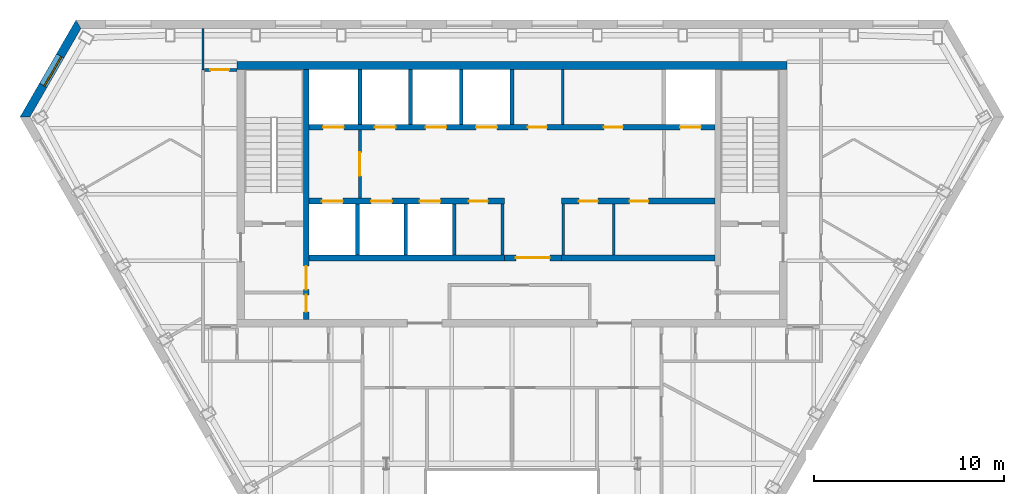
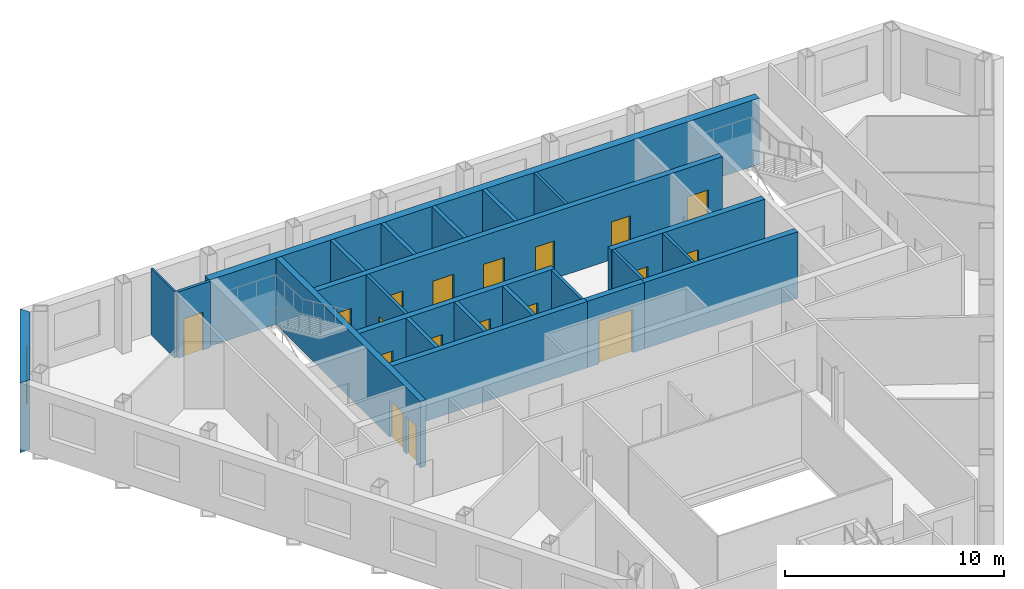
# One storey, part 6 of 10: 23 walls, 18 doors, 1 window, 19 openings.
"""IFC4 building model written with IfcOpenShell, lengths in metres."""

from ifc_helpers import new_model, si_unit, direction, frame, frame_2d, origin, place, context, subcontext, project, spatial, polyline, rectangle, outline, extrude, material, layer, layer_set, type_object, element, fill, save


model = new_model("IFC4")

# Units and contexts
model_context = context("Model", 3, precision=1e-05, world=origin(), true_north=direction((0.0, 1.0)))
body_context = subcontext(model_context, "Body", "Model", "MODEL_VIEW")
ifc_project = project(units=[si_unit("LENGTHUNIT", "METRE"), si_unit("AREAUNIT", "SQUARE_METRE"), si_unit("VOLUMEUNIT", "CUBIC_METRE"), si_unit("PLANEANGLEUNIT", "RADIAN"), si_unit("MASSUNIT", "GRAM", prefix="KILO")], contexts=[model_context])

# Site, building, storey
site_placement = place(None, origin())
site = spatial("IfcSite", under=ifc_project, at=site_placement, CompositionType="ELEMENT")
building_placement = place(site_placement, origin())
building = spatial("IfcBuilding", under=site, at=building_placement, Name="Njiva Tower", CompositionType="ELEMENT")
storey_placement = place(building_placement, frame((0.0, 0.0, 257.1)))
storey = spatial("IfcBuildingStorey", under=building, at=storey_placement, Name="L58", CompositionType="ELEMENT", Elevation=257.1)

# Walls
ifc_material_1 = material(Name="Blockwork", Category="masonry")
ifc_layer_1 = layer(ifc_material_1, 0.15)
ifc_layer_set_1 = layer_set([ifc_layer_1], Name="Blockwork")
wall_type_1 = type_object("IfcWallType", Name="WT1 Compartment partition 150", PredefinedType="PARTITIONING", material=ifc_layer_set_1)
wall_1_placement = place(storey_placement, frame((2.675, 14.7, 0.0), z_axis=(0.0, 0.0, 1.0), x_axis=(0.0, 1.0, 0.0)))
element("IfcWall", 1, at=wall_1_placement, inside=storey, type_object=wall_type_1, Name="Partition CN5", PredefinedType="PARTITIONING", context=body_context, shape_type="SweptSolid", body=[
    extrude(rectangle(XDim=2.9, YDim=0.15, at=frame_2d((1.45, 0.0))), origin(), (0.0, 0.0, 1.0), 3.7),
])
for number, where, z_axis, x_axis, name in (
    (2, (-0.5, 7.8, 0.0), (0.0, 0.0, 1.0), (0.0, 1.0, 0.0), "Partition CS4"),
    (3, (2.7, 7.8, 0.0), (0.0, 0.0, 1.0), (0.0, 1.0, 0.0), "Partition CS5"),
    (4, (5.3667, 7.8, 0.0), (0.0, 0.0, 1.0), (0.0, 1.0, 0.0), "Partition CS6"),
):
    element("IfcWall", number, at=place(storey_placement, frame(where, z_axis=z_axis, x_axis=x_axis)), inside=storey, type_object=wall_type_1, Name=name, PredefinedType="PARTITIONING", context=body_context, shape_type="SweptSolid", body=[
        extrude(rectangle(XDim=2.7, YDim=0.15, at=frame_2d((1.35, 0.0))), origin(), (0.0, 0.0, 1.0), 3.7),
    ])

# Wall, openings, doors
ifc_material_2 = material(Name="Concrete C40/50", Category="concrete")
ifc_layer_2 = layer(ifc_material_2, 0.3)
ifc_layer_set_2 = layer_set([ifc_layer_2], Name="Concrete C40/50")
wall_type_2 = type_object("IfcWallType", Name="WT10 Stair enclosure wall 300", PredefinedType="SHEAR", material=ifc_layer_set_2)
wall_2_placement = place(storey_placement, frame((-10.85, 4.4, 0.0), z_axis=(0.0, 0.0, 1.0), x_axis=(0.0, 1.0, 0.0)))
wall_2 = element("IfcWall", 5, at=wall_2_placement, inside=storey, type_object=wall_type_2, Name="Stair wall west inner", PredefinedType="SHEAR", context=body_context, shape_type="SweptSolid", body=[
    extrude(rectangle(XDim=13.2, YDim=0.3, at=frame_2d((6.6, 0.0))), origin(), (0.0, 0.0, 1.0), 3.7),
])
opening_1_placement = place(wall_2_placement, frame((1.575, 0.0, 0.0)))
opening_1 = element("IfcOpeningElement", 6, at=opening_1_placement, cuts=wall_2, Name="Opening S19-D916", PredefinedType="OPENING", context=body_context, shape_type="SweptSolid", body=[
    extrude(rectangle(XDim=1.25, YDim=2.1, at=frame_2d((0.625, 1.05))), frame((0.0, 0.16, 0.0), z_axis=(0.0, -1.0, 0.0), x_axis=(1.0, 0.0, 0.0)), (0.0, 0.0, 1.0), 0.32),
])
opening_2_placement = place(wall_2_placement, frame((0.4, 0.0, 0.0)))
opening_2 = element("IfcOpeningElement", 7, at=opening_2_placement, cuts=wall_2, Name="Opening S19-D918", PredefinedType="OPENING", context=body_context, shape_type="SweptSolid", body=[
    extrude(rectangle(XDim=0.9, YDim=2.1, at=frame_2d((0.45, 1.05))), frame((0.0, 0.16, 0.0), z_axis=(0.0, -1.0, 0.0), x_axis=(1.0, 0.0, 0.0)), (0.0, 0.0, 1.0), 0.32),
])
ifc_material_3 = material(Name="Steel door, painted", Category="steel")
door_type_1 = type_object("IfcDoorType", Name="D13 Steel door 900x2100", OperationType="SINGLE_SWING_LEFT", PredefinedType="DOOR", material=ifc_material_3)
door_1_placement = place(opening_2_placement, origin())
door_1 = element("IfcDoor", 8, at=door_1_placement, inside=storey, type_object=door_type_1, Name="Reading room door", OperationType="SINGLE_SWING_RIGHT", OverallHeight=2.1, OverallWidth=0.9, PredefinedType="DOOR", context=body_context, shape_type="SweptSolid", body=[
    extrude(rectangle(XDim=0.9, YDim=2.1, at=frame_2d((0.45, 1.05))), frame((0.0, 0.025, 0.0), z_axis=(0.0, -1.0, 0.0), x_axis=(1.0, 0.0, 0.0)), (0.0, 0.0, 1.0), 0.05),
])
fill(opening_2, door_1)
ifc_material_4 = material(Name="Glazed steel fire door", Category="steel")
door_type_2 = type_object("IfcDoorType", Name="D8 Vestibule corridor door 1250x2100 glazed", OperationType="SINGLE_SWING_LEFT", PredefinedType="DOOR", material=ifc_material_4)
door_2_placement = place(opening_1_placement, origin())
door_2 = element("IfcDoor", 9, at=door_2_placement, inside=storey, type_object=door_type_2, Name="Stair vestibule corridor door", OperationType="SINGLE_SWING_LEFT", OverallHeight=2.1, OverallWidth=1.25, PredefinedType="DOOR", context=body_context, shape_type="SweptSolid", body=[
    extrude(rectangle(XDim=1.25, YDim=2.1, at=frame_2d((0.625, 1.05))), frame((0.0, 0.025, 0.0), z_axis=(0.0, -1.0, 0.0), x_axis=(1.0, 0.0, 0.0)), (0.0, 0.0, 1.0), 0.05),
])
fill(opening_1, door_2)

# Wall
ifc_material_5 = material(Name="Concrete C60/75", Category="concrete")
ifc_layer_3 = layer(ifc_material_5, 0.4)
ifc_layer_set_3 = layer_set([ifc_layer_3], Name="Concrete C60/75")
wall_type_3 = type_object("IfcWallType", Name="WT11 Core wall 400", PredefinedType="SHEAR", material=ifc_layer_set_3)
wall_3_placement = place(storey_placement, frame((-14.5, 17.8, 0.0), z_axis=(0.0, 0.0, 1.0), x_axis=(1.0, 0.0, 0.0)))
element("IfcWall", 10, at=wall_3_placement, inside=storey, type_object=wall_type_3, Name="Core wall north", PredefinedType="SHEAR", context=body_context, shape_type="SweptSolid", body=[
    extrude(rectangle(XDim=29.0, YDim=0.4, at=frame_2d((14.5, 0.0))), origin(), (0.0, 0.0, 1.0), 3.7),
])

# Wall, opening, door
ifc_layer_4 = layer(ifc_material_1, 0.15)
ifc_layer_set_4 = layer_set([ifc_layer_4], Name="Blockwork")
wall_type_4 = type_object("IfcWallType", Name="WT2 Lobby partition 150", PredefinedType="PARTITIONING", material=ifc_layer_set_4)
wall_4_placement = place(storey_placement, frame((-8.025, 10.8, 0.0), z_axis=(0.0, 0.0, 1.0), x_axis=(0.0, 1.0, 0.0)))
wall_4 = element("IfcWall", 11, at=wall_4_placement, inside=storey, type_object=wall_type_4, Name="Firefighting lobby wall A", PredefinedType="PARTITIONING", context=body_context, shape_type="SweptSolid", body=[
    extrude(rectangle(XDim=3.6, YDim=0.15, at=frame_2d((1.8, 0.0))), origin(), (0.0, 0.0, 1.0), 3.7),
])
opening_3_placement = place(wall_4_placement, frame((1.175, 0.0, 0.0)))
opening_3 = element("IfcOpeningElement", 12, at=opening_3_placement, cuts=wall_4, Name="Opening S19-D914", PredefinedType="OPENING", context=body_context, shape_type="SweptSolid", body=[
    extrude(rectangle(XDim=1.25, YDim=2.1, at=frame_2d((0.625, 1.05))), frame((0.0, 0.085, 0.0), z_axis=(0.0, -1.0, 0.0), x_axis=(1.0, 0.0, 0.0)), (0.0, 0.0, 1.0), 0.17),
])
door_3_placement = place(opening_3_placement, origin())
door_3 = element("IfcDoor", 13, at=door_3_placement, inside=storey, type_object=door_type_2, Name="Stair vestibule corridor door", OperationType="SINGLE_SWING_RIGHT", OverallHeight=2.1, OverallWidth=1.25, PredefinedType="DOOR", context=body_context, shape_type="SweptSolid", body=[
    extrude(rectangle(XDim=1.25, YDim=2.1, at=frame_2d((0.625, 1.05))), frame((0.0, 0.025, 0.0), z_axis=(0.0, -1.0, 0.0), x_axis=(1.0, 0.0, 0.0)), (0.0, 0.0, 1.0), 0.05),
])
fill(opening_3, door_3)

# Wall
ifc_material_6 = material(Name="Gypsum board on steel studs", Category="gypsum")
ifc_layer_5 = layer(ifc_material_6, 0.1)
ifc_layer_set_5 = layer_set([ifc_layer_5], Name="Gypsum board on steel studs")
wall_type_5 = type_object("IfcWallType", Name="WT20 Gypsum partition 100", PredefinedType="PARTITIONING", material=ifc_layer_set_5)
wall_5_placement = place(storey_placement, frame((-16.3, 17.584, 0.0), z_axis=(0.0, 0.0, 1.0), x_axis=(0.0, 1.0, 0.0)))
element("IfcWall", 14, at=wall_5_placement, inside=storey, type_object=wall_type_5, Name="Partition S19-P005", PredefinedType="PARTITIONING", context=body_context, shape_type="SweptSolid", body=[
    extrude(rectangle(XDim=2.166, YDim=0.1, at=frame_2d((1.083, 0.0))), origin(), (0.0, 0.0, 1.0), 3.7),
])

# Wall, opening, door
ifc_layer_6 = layer(ifc_material_6, 0.15)
ifc_layer_set_6 = layer_set([ifc_layer_6], Name="Gypsum board on steel studs")
wall_type_6 = type_object("IfcWallType", Name="WT21 Compartment wall 150", PredefinedType="PARTITIONING", material=ifc_layer_set_6)
wall_6_placement = place(storey_placement, frame((-16.225, 17.572, 0.0), z_axis=(0.0, 0.0, 1.0), x_axis=(1.0, 0.0, 0.0)))
wall_6 = element("IfcWall", 15, at=wall_6_placement, inside=storey, type_object=wall_type_6, Name="Partition S19-P008", PredefinedType="PARTITIONING", context=body_context, shape_type="SweptSolid", body=[
    extrude(rectangle(XDim=1.725, YDim=0.15, at=frame_2d((0.8625, 0.0))), origin(), (0.0, 0.0, 1.0), 3.7),
])
opening_4_placement = place(wall_6_placement, frame((0.308, 0.0, 0.0)))
opening_4 = element("IfcOpeningElement", 16, at=opening_4_placement, cuts=wall_6, Name="Opening S19-D005", PredefinedType="OPENING", context=body_context, shape_type="SweptSolid", body=[
    extrude(rectangle(XDim=1.0, YDim=2.1, at=frame_2d((0.5, 1.05))), frame((0.0, 0.085, 0.0), z_axis=(0.0, -1.0, 0.0), x_axis=(1.0, 0.0, 0.0)), (0.0, 0.0, 1.0), 0.17),
])
ifc_material_7 = material(Name="Steel fire door set", Category="steel")
door_type_3 = type_object("IfcDoorType", Name="D37 Fire door 1000x2100", OperationType="SINGLE_SWING_LEFT", PredefinedType="DOOR", material=ifc_material_7)
door_4_placement = place(opening_4_placement, origin())
door_4 = element("IfcDoor", 17, at=door_4_placement, inside=storey, type_object=door_type_3, Name="Door S19-D005", OperationType="SINGLE_SWING_RIGHT", OverallHeight=2.1, OverallWidth=1.0, PredefinedType="DOOR", context=body_context, shape_type="SweptSolid", body=[
    extrude(rectangle(XDim=1.0, YDim=2.1, at=frame_2d((0.5, 1.05))), frame((0.0, 0.025, 0.0), z_axis=(0.0, -1.0, 0.0), x_axis=(1.0, 0.0, 0.0)), (0.0, 0.0, 1.0), 0.05),
])
fill(opening_4, door_4)

ifc_layer_7 = layer(ifc_material_1, 0.3)
ifc_layer_set_7 = layer_set([ifc_layer_7], Name="Blockwork")
wall_type_7 = type_object("IfcWallType", Name="WT5 Lobby partition 300", PredefinedType="PARTITIONING", material=ifc_layer_set_7)
wall_7_placement = place(storey_placement, frame((-0.4, 7.65, 0.0), z_axis=(0.0, 0.0, 1.0), x_axis=(1.0, 0.0, 0.0)))
wall_7 = element("IfcWall", 18, at=wall_7_placement, inside=storey, type_object=wall_type_7, Name="Lift lobby screen wall", PredefinedType="PARTITIONING", context=body_context, shape_type="SweptSolid", body=[
    extrude(rectangle(XDim=3.0, YDim=0.3, at=frame_2d((1.5, 0.0))), origin(), (0.0, 0.0, 1.0), 3.7),
])
opening_5_placement = place(wall_7_placement, frame((0.6, 0.0, 0.0)))
opening_5 = element("IfcOpeningElement", 19, at=opening_5_placement, cuts=wall_7, Name="Opening S19-D925", PredefinedType="OPENING", context=body_context, shape_type="SweptSolid", body=[
    extrude(rectangle(XDim=1.8, YDim=2.4, at=frame_2d((0.9, 1.2))), frame((0.0, 0.16, 0.0), z_axis=(0.0, -1.0, 0.0), x_axis=(1.0, 0.0, 0.0)), (0.0, 0.0, 1.0), 0.32),
])
ifc_material_8 = material(Name="Steel and glass door", Category="steel")
door_type_4 = type_object("IfcDoorType", Name="D3 Core entrance door 1800x2400", OperationType="DOUBLE_DOOR_SINGLE_SWING", PredefinedType="DOOR", material=ifc_material_8)
door_5_placement = place(opening_5_placement, origin())
door_5 = element("IfcDoor", 20, at=door_5_placement, inside=storey, type_object=door_type_4, Name="Core entrance door", OperationType="DOUBLE_DOOR_SINGLE_SWING", OverallHeight=2.4, OverallWidth=1.8, PredefinedType="DOOR", context=body_context, shape_type="SweptSolid", body=[
    extrude(rectangle(XDim=1.8, YDim=2.4, at=frame_2d((0.9, 1.2))), frame((0.0, 0.025, 0.0), z_axis=(0.0, -1.0, 0.0), x_axis=(1.0, 0.0, 0.0)), (0.0, 0.0, 1.0), 0.05),
])
fill(opening_5, door_5)

# Walls
ifc_layer_8 = layer(ifc_material_2, 0.2)
ifc_layer_set_8 = layer_set([ifc_layer_8], Name="Concrete C40/50")
wall_type_8 = type_object("IfcWallType", Name="WT6 Lift shaft wall 200", PredefinedType="SHEAR", material=ifc_layer_set_8)
for number, where, z_axis, x_axis, name in (
    (21, (-8.025, 14.7, 0.0), (0.0, 0.0, 1.0), (0.0, 1.0, 0.0), "Shaft wall CN1"),
    (22, (-5.35, 14.7, 0.0), (0.0, 0.0, 1.0), (0.0, 1.0, 0.0), "Shaft wall CN2"),
    (23, (-2.675, 14.7, 0.0), (0.0, 0.0, 1.0), (0.0, 1.0, 0.0), "Shaft wall CN3"),
    (24, (0.0, 14.7, 0.0), (0.0, 0.0, 1.0), (0.0, 1.0, 0.0), "Shaft wall CN4"),
):
    element("IfcWall", number, at=place(storey_placement, frame(where, z_axis=z_axis, x_axis=x_axis)), inside=storey, type_object=wall_type_8, Name=name, PredefinedType="SHEAR", context=body_context, shape_type="SweptSolid", body=[
        extrude(rectangle(XDim=2.9, YDim=0.2, at=frame_2d((1.45, 0.0))), origin(), (0.0, 0.0, 1.0), 3.7),
    ])
for number, where, z_axis, x_axis, name in (
    (25, (-8.15, 7.8, 0.0), (0.0, 0.0, 1.0), (0.0, 1.0, 0.0), "Shaft wall CS1"),
    (26, (-5.6, 7.8, 0.0), (0.0, 0.0, 1.0), (0.0, 1.0, 0.0), "Shaft wall CS2"),
    (27, (-3.05, 7.8, 0.0), (0.0, 0.0, 1.0), (0.0, 1.0, 0.0), "Shaft wall CS3"),
):
    element("IfcWall", number, at=place(storey_placement, frame(where, z_axis=z_axis, x_axis=x_axis)), inside=storey, type_object=wall_type_8, Name=name, PredefinedType="SHEAR", context=body_context, shape_type="SweptSolid", body=[
        extrude(rectangle(XDim=2.7, YDim=0.2, at=frame_2d((1.35, 0.0))), origin(), (0.0, 0.0, 1.0), 3.7),
    ])

# Wall, openings, doors
ifc_layer_9 = layer(ifc_material_2, 0.3)
ifc_layer_set_9 = layer_set([ifc_layer_9], Name="Concrete C40/50")
wall_type_9 = type_object("IfcWallType", Name="WT7 Lift shaft wall 300", PredefinedType="SHEAR", material=ifc_layer_set_9)
wall_8_placement = place(storey_placement, frame((-10.7, 14.55, 0.0), z_axis=(0.0, 0.0, 1.0), x_axis=(1.0, 0.0, 0.0)))
wall_8 = element("IfcWall", 28, at=wall_8_placement, inside=storey, type_object=wall_type_9, Name="Shaft wall north row lobby side", PredefinedType="SHEAR", context=body_context, shape_type="SweptSolid", body=[
    extrude(rectangle(XDim=21.4, YDim=0.3, at=frame_2d((10.7, 0.0))), origin(), (0.0, 0.0, 1.0), 3.7),
])
opening_6_placement = place(wall_8_placement, frame((0.7375, 0.0, 0.0)))
opening_6 = element("IfcOpeningElement", 29, at=opening_6_placement, cuts=wall_8, Name="Opening S19-D901", PredefinedType="OPENING", context=body_context, shape_type="SweptSolid", body=[
    extrude(rectangle(XDim=1.1, YDim=2.1, at=frame_2d((0.55, 1.05))), frame((0.0, 0.16, 0.0), z_axis=(0.0, -1.0, 0.0), x_axis=(1.0, 0.0, 0.0)), (0.0, 0.0, 1.0), 0.32),
])
opening_7_placement = place(wall_8_placement, frame((3.4625, 0.0, 0.0)))
opening_7 = element("IfcOpeningElement", 30, at=opening_7_placement, cuts=wall_8, Name="Opening S19-D902", PredefinedType="OPENING", context=body_context, shape_type="SweptSolid", body=[
    extrude(rectangle(XDim=1.1, YDim=2.1, at=frame_2d((0.55, 1.05))), frame((0.0, 0.16, 0.0), z_axis=(0.0, -1.0, 0.0), x_axis=(1.0, 0.0, 0.0)), (0.0, 0.0, 1.0), 0.32),
])
opening_8_placement = place(wall_8_placement, frame((6.1375, 0.0, 0.0)))
opening_8 = element("IfcOpeningElement", 31, at=opening_8_placement, cuts=wall_8, Name="Opening S19-D903", PredefinedType="OPENING", context=body_context, shape_type="SweptSolid", body=[
    extrude(rectangle(XDim=1.1, YDim=2.1, at=frame_2d((0.55, 1.05))), frame((0.0, 0.16, 0.0), z_axis=(0.0, -1.0, 0.0), x_axis=(1.0, 0.0, 0.0)), (0.0, 0.0, 1.0), 0.32),
])
opening_9_placement = place(wall_8_placement, frame((8.8125, 0.0, 0.0)))
opening_9 = element("IfcOpeningElement", 32, at=opening_9_placement, cuts=wall_8, Name="Opening S19-D904", PredefinedType="OPENING", context=body_context, shape_type="SweptSolid", body=[
    extrude(rectangle(XDim=1.1, YDim=2.1, at=frame_2d((0.55, 1.05))), frame((0.0, 0.16, 0.0), z_axis=(0.0, -1.0, 0.0), x_axis=(1.0, 0.0, 0.0)), (0.0, 0.0, 1.0), 0.32),
])
opening_10_placement = place(wall_8_placement, frame((19.5625, 0.0, 0.0)))
opening_10 = element("IfcOpeningElement", 33, at=opening_10_placement, cuts=wall_8, Name="Opening S19-D905", PredefinedType="OPENING", context=body_context, shape_type="SweptSolid", body=[
    extrude(rectangle(XDim=1.1, YDim=2.1, at=frame_2d((0.55, 1.05))), frame((0.0, 0.16, 0.0), z_axis=(0.0, -1.0, 0.0), x_axis=(1.0, 0.0, 0.0)), (0.0, 0.0, 1.0), 0.32),
])
opening_11_placement = place(wall_8_placement, frame((11.5375, 0.0, 0.0)))
opening_11 = element("IfcOpeningElement", 34, at=opening_11_placement, cuts=wall_8, Name="Opening S19-D909", PredefinedType="OPENING", context=body_context, shape_type="SweptSolid", body=[
    extrude(rectangle(XDim=1.0, YDim=2.1, at=frame_2d((0.5, 1.05))), frame((0.0, 0.16, 0.0), z_axis=(0.0, -1.0, 0.0), x_axis=(1.0, 0.0, 0.0)), (0.0, 0.0, 1.0), 0.32),
])
opening_12_placement = place(wall_8_placement, frame((15.55, 0.0, 0.0)))
opening_12 = element("IfcOpeningElement", 35, at=opening_12_placement, cuts=wall_8, Name="Opening S19-D910", PredefinedType="OPENING", context=body_context, shape_type="SweptSolid", body=[
    extrude(rectangle(XDim=1.0, YDim=2.1, at=frame_2d((0.5, 1.05))), frame((0.0, 0.16, 0.0), z_axis=(0.0, -1.0, 0.0), x_axis=(1.0, 0.0, 0.0)), (0.0, 0.0, 1.0), 0.32),
])
door_type_5 = type_object("IfcDoorType", Name="D5 Steel door 1000x2100", OperationType="SINGLE_SWING_LEFT", PredefinedType="DOOR", material=ifc_material_3)
door_6_placement = place(opening_11_placement, origin())
door_6 = element("IfcDoor", 36, at=door_6_placement, inside=storey, type_object=door_type_5, Name="Quiet room door", OperationType="SINGLE_SWING_LEFT", OverallHeight=2.1, OverallWidth=1.0, PredefinedType="DOOR", context=body_context, shape_type="SweptSolid", body=[
    extrude(rectangle(XDim=1.0, YDim=2.1, at=frame_2d((0.5, 1.05))), frame((0.0, 0.025, 0.0), z_axis=(0.0, -1.0, 0.0), x_axis=(1.0, 0.0, 0.0)), (0.0, 0.0, 1.0), 0.05),
])
fill(opening_11, door_6)
door_7_placement = place(opening_12_placement, origin())
door_7 = element("IfcDoor", 37, at=door_7_placement, inside=storey, type_object=door_type_5, Name="Prayer room door", OperationType="SINGLE_SWING_LEFT", OverallHeight=2.1, OverallWidth=1.0, PredefinedType="DOOR", context=body_context, shape_type="SweptSolid", body=[
    extrude(rectangle(XDim=1.0, YDim=2.1, at=frame_2d((0.5, 1.05))), frame((0.0, 0.025, 0.0), z_axis=(0.0, -1.0, 0.0), x_axis=(1.0, 0.0, 0.0)), (0.0, 0.0, 1.0), 0.05),
])
fill(opening_12, door_7)
ifc_material_9 = material(Name="Stainless steel sliding door", Category="steel")
door_type_6 = type_object("IfcDoorType", Name="LD Lift landing door 1100x2100", OperationType="SLIDING_TO_LEFT", PredefinedType="DOOR", material=ifc_material_9)
door_8_placement = place(opening_6_placement, origin())
door_8 = element("IfcDoor", 38, at=door_8_placement, inside=storey, type_object=door_type_6, Name="Lift landing door FF1", OperationType="SLIDING_TO_LEFT", OverallHeight=2.1, OverallWidth=1.1, PredefinedType="DOOR", context=body_context, shape_type="SweptSolid", body=[
    extrude(rectangle(XDim=1.1, YDim=2.1, at=frame_2d((0.55, 1.05))), frame((0.0, 0.025, 0.0), z_axis=(0.0, -1.0, 0.0), x_axis=(1.0, 0.0, 0.0)), (0.0, 0.0, 1.0), 0.05),
])
fill(opening_6, door_8)
door_9_placement = place(opening_7_placement, origin())
door_9 = element("IfcDoor", 39, at=door_9_placement, inside=storey, type_object=door_type_6, Name="Lift landing door HB4", OperationType="SLIDING_TO_LEFT", OverallHeight=2.1, OverallWidth=1.1, PredefinedType="DOOR", context=body_context, shape_type="SweptSolid", body=[
    extrude(rectangle(XDim=1.1, YDim=2.1, at=frame_2d((0.55, 1.05))), frame((0.0, 0.025, 0.0), z_axis=(0.0, -1.0, 0.0), x_axis=(1.0, 0.0, 0.0)), (0.0, 0.0, 1.0), 0.05),
])
fill(opening_7, door_9)
door_10_placement = place(opening_8_placement, origin())
door_10 = element("IfcDoor", 40, at=door_10_placement, inside=storey, type_object=door_type_6, Name="Lift landing door HB5", OperationType="SLIDING_TO_LEFT", OverallHeight=2.1, OverallWidth=1.1, PredefinedType="DOOR", context=body_context, shape_type="SweptSolid", body=[
    extrude(rectangle(XDim=1.1, YDim=2.1, at=frame_2d((0.55, 1.05))), frame((0.0, 0.025, 0.0), z_axis=(0.0, -1.0, 0.0), x_axis=(1.0, 0.0, 0.0)), (0.0, 0.0, 1.0), 0.05),
])
fill(opening_8, door_10)
door_11_placement = place(opening_9_placement, origin())
door_11 = element("IfcDoor", 41, at=door_11_placement, inside=storey, type_object=door_type_6, Name="Lift landing door HB6", OperationType="SLIDING_TO_LEFT", OverallHeight=2.1, OverallWidth=1.1, PredefinedType="DOOR", context=body_context, shape_type="SweptSolid", body=[
    extrude(rectangle(XDim=1.1, YDim=2.1, at=frame_2d((0.55, 1.05))), frame((0.0, 0.025, 0.0), z_axis=(0.0, -1.0, 0.0), x_axis=(1.0, 0.0, 0.0)), (0.0, 0.0, 1.0), 0.05),
])
fill(opening_9, door_11)
door_12_placement = place(opening_10_placement, origin())
door_12 = element("IfcDoor", 42, at=door_12_placement, inside=storey, type_object=door_type_6, Name="Lift landing door FF2", OperationType="SLIDING_TO_LEFT", OverallHeight=2.1, OverallWidth=1.1, PredefinedType="DOOR", context=body_context, shape_type="SweptSolid", body=[
    extrude(rectangle(XDim=1.1, YDim=2.1, at=frame_2d((0.55, 1.05))), frame((0.0, 0.025, 0.0), z_axis=(0.0, -1.0, 0.0), x_axis=(1.0, 0.0, 0.0)), (0.0, 0.0, 1.0), 0.05),
])
fill(opening_10, door_12)

wall_9_placement = place(storey_placement, frame((-10.7, 10.65, 0.0), z_axis=(0.0, 0.0, 1.0), x_axis=(1.0, 0.0, 0.0)))
wall_9 = element("IfcWall", 43, at=wall_9_placement, inside=storey, type_object=wall_type_9, Name="Shaft wall south row lobby side W", PredefinedType="SHEAR", context=body_context, shape_type="SweptSolid", body=[
    extrude(rectangle(XDim=10.3, YDim=0.3, at=frame_2d((5.15, 0.0))), origin(), (0.0, 0.0, 1.0), 3.7),
])
opening_13_placement = place(wall_9_placement, frame((0.675, 0.0, 0.0)))
opening_13 = element("IfcOpeningElement", 44, at=opening_13_placement, cuts=wall_9, Name="Opening S19-D906", PredefinedType="OPENING", context=body_context, shape_type="SweptSolid", body=[
    extrude(rectangle(XDim=1.1, YDim=2.1, at=frame_2d((0.55, 1.05))), frame((0.0, 0.16, 0.0), z_axis=(0.0, -1.0, 0.0), x_axis=(1.0, 0.0, 0.0)), (0.0, 0.0, 1.0), 0.32),
])
opening_14_placement = place(wall_9_placement, frame((3.275, 0.0, 0.0)))
opening_14 = element("IfcOpeningElement", 45, at=opening_14_placement, cuts=wall_9, Name="Opening S19-D907", PredefinedType="OPENING", context=body_context, shape_type="SweptSolid", body=[
    extrude(rectangle(XDim=1.1, YDim=2.1, at=frame_2d((0.55, 1.05))), frame((0.0, 0.16, 0.0), z_axis=(0.0, -1.0, 0.0), x_axis=(1.0, 0.0, 0.0)), (0.0, 0.0, 1.0), 0.32),
])
opening_15_placement = place(wall_9_placement, frame((5.825, 0.0, 0.0)))
opening_15 = element("IfcOpeningElement", 46, at=opening_15_placement, cuts=wall_9, Name="Opening S19-D908", PredefinedType="OPENING", context=body_context, shape_type="SweptSolid", body=[
    extrude(rectangle(XDim=1.1, YDim=2.1, at=frame_2d((0.55, 1.05))), frame((0.0, 0.16, 0.0), z_axis=(0.0, -1.0, 0.0), x_axis=(1.0, 0.0, 0.0)), (0.0, 0.0, 1.0), 0.32),
])
opening_16_placement = place(wall_9_placement, frame((8.425, 0.0, 0.0)))
opening_16 = element("IfcOpeningElement", 47, at=opening_16_placement, cuts=wall_9, Name="Opening S19-D911", PredefinedType="OPENING", context=body_context, shape_type="SweptSolid", body=[
    extrude(rectangle(XDim=1.0, YDim=2.1, at=frame_2d((0.5, 1.05))), frame((0.0, 0.16, 0.0), z_axis=(0.0, -1.0, 0.0), x_axis=(1.0, 0.0, 0.0)), (0.0, 0.0, 1.0), 0.32),
])
door_13_placement = place(opening_16_placement, origin())
door_13 = element("IfcDoor", 48, at=door_13_placement, inside=storey, type_object=door_type_5, Name="Business centre door", OperationType="SINGLE_SWING_RIGHT", OverallHeight=2.1, OverallWidth=1.0, PredefinedType="DOOR", context=body_context, shape_type="SweptSolid", body=[
    extrude(rectangle(XDim=1.0, YDim=2.1, at=frame_2d((0.5, 1.05))), frame((0.0, 0.025, 0.0), z_axis=(0.0, -1.0, 0.0), x_axis=(1.0, 0.0, 0.0)), (0.0, 0.0, 1.0), 0.05),
])
fill(opening_16, door_13)
door_14_placement = place(opening_13_placement, origin())
door_14 = element("IfcDoor", 49, at=door_14_placement, inside=storey, type_object=door_type_6, Name="Lift landing door HB1", OperationType="SLIDING_TO_LEFT", OverallHeight=2.1, OverallWidth=1.1, PredefinedType="DOOR", context=body_context, shape_type="SweptSolid", body=[
    extrude(rectangle(XDim=1.1, YDim=2.1, at=frame_2d((0.55, 1.05))), frame((0.0, 0.025, 0.0), z_axis=(0.0, -1.0, 0.0), x_axis=(1.0, 0.0, 0.0)), (0.0, 0.0, 1.0), 0.05),
])
fill(opening_13, door_14)
door_15_placement = place(opening_14_placement, origin())
door_15 = element("IfcDoor", 50, at=door_15_placement, inside=storey, type_object=door_type_6, Name="Lift landing door HB2", OperationType="SLIDING_TO_LEFT", OverallHeight=2.1, OverallWidth=1.1, PredefinedType="DOOR", context=body_context, shape_type="SweptSolid", body=[
    extrude(rectangle(XDim=1.1, YDim=2.1, at=frame_2d((0.55, 1.05))), frame((0.0, 0.025, 0.0), z_axis=(0.0, -1.0, 0.0), x_axis=(1.0, 0.0, 0.0)), (0.0, 0.0, 1.0), 0.05),
])
fill(opening_14, door_15)
door_16_placement = place(opening_15_placement, origin())
door_16 = element("IfcDoor", 51, at=door_16_placement, inside=storey, type_object=door_type_6, Name="Lift landing door HB3", OperationType="SLIDING_TO_LEFT", OverallHeight=2.1, OverallWidth=1.1, PredefinedType="DOOR", context=body_context, shape_type="SweptSolid", body=[
    extrude(rectangle(XDim=1.1, YDim=2.1, at=frame_2d((0.55, 1.05))), frame((0.0, 0.025, 0.0), z_axis=(0.0, -1.0, 0.0), x_axis=(1.0, 0.0, 0.0)), (0.0, 0.0, 1.0), 0.05),
])
fill(opening_15, door_16)

# Wall
wall_10_placement = place(storey_placement, frame((-10.7, 7.65, 0.0), z_axis=(0.0, 0.0, 1.0), x_axis=(1.0, 0.0, 0.0)))
element("IfcWall", 52, at=wall_10_placement, inside=storey, type_object=wall_type_9, Name="Shaft wall south row back W", PredefinedType="SHEAR", context=body_context, shape_type="SweptSolid", body=[
    extrude(rectangle(XDim=10.3, YDim=0.3, at=frame_2d((5.15, 0.0))), origin(), (0.0, 0.0, 1.0), 3.7),
])

# Wall, openings, doors
wall_11_placement = place(storey_placement, frame((2.6, 10.65, 0.0), z_axis=(0.0, 0.0, 1.0), x_axis=(1.0, 0.0, 0.0)))
wall_11 = element("IfcWall", 53, at=wall_11_placement, inside=storey, type_object=wall_type_9, Name="Shaft wall south row lobby side E", PredefinedType="SHEAR", context=body_context, shape_type="SweptSolid", body=[
    extrude(rectangle(XDim=8.1, YDim=0.3, at=frame_2d((4.05, 0.0))), origin(), (0.0, 0.0, 1.0), 3.7),
])
opening_17_placement = place(wall_11_placement, frame((0.9334, 0.0, 0.0)))
opening_17 = element("IfcOpeningElement", 54, at=opening_17_placement, cuts=wall_11, Name="Opening S19-D912", PredefinedType="OPENING", context=body_context, shape_type="SweptSolid", body=[
    extrude(rectangle(XDim=1.0, YDim=2.1, at=frame_2d((0.5, 1.05))), frame((0.0, 0.16, 0.0), z_axis=(0.0, -1.0, 0.0), x_axis=(1.0, 0.0, 0.0)), (0.0, 0.0, 1.0), 0.32),
])
opening_18_placement = place(wall_11_placement, frame((3.6, 0.0, 0.0)))
opening_18 = element("IfcOpeningElement", 55, at=opening_18_placement, cuts=wall_11, Name="Opening S19-D913", PredefinedType="OPENING", context=body_context, shape_type="SweptSolid", body=[
    extrude(rectangle(XDim=1.0, YDim=2.1, at=frame_2d((0.5, 1.05))), frame((0.0, 0.16, 0.0), z_axis=(0.0, -1.0, 0.0), x_axis=(1.0, 0.0, 0.0)), (0.0, 0.0, 1.0), 0.32),
])
door_17_placement = place(opening_17_placement, origin())
door_17 = element("IfcDoor", 56, at=door_17_placement, inside=storey, type_object=door_type_5, Name="Meeting room door", OperationType="SINGLE_SWING_LEFT", OverallHeight=2.1, OverallWidth=1.0, PredefinedType="DOOR", context=body_context, shape_type="SweptSolid", body=[
    extrude(rectangle(XDim=1.0, YDim=2.1, at=frame_2d((0.5, 1.05))), frame((0.0, 0.025, 0.0), z_axis=(0.0, -1.0, 0.0), x_axis=(1.0, 0.0, 0.0)), (0.0, 0.0, 1.0), 0.05),
])
fill(opening_17, door_17)
door_18_placement = place(opening_18_placement, origin())
door_18 = element("IfcDoor", 57, at=door_18_placement, inside=storey, type_object=door_type_5, Name="Pump room door", OperationType="SINGLE_SWING_RIGHT", OverallHeight=2.1, OverallWidth=1.0, PredefinedType="DOOR", context=body_context, shape_type="SweptSolid", body=[
    extrude(rectangle(XDim=1.0, YDim=2.1, at=frame_2d((0.5, 1.05))), frame((0.0, 0.025, 0.0), z_axis=(0.0, -1.0, 0.0), x_axis=(1.0, 0.0, 0.0)), (0.0, 0.0, 1.0), 0.05),
])
fill(opening_18, door_18)

# Wall
wall_12_placement = place(storey_placement, frame((2.6, 7.65, 0.0), z_axis=(0.0, 0.0, 1.0), x_axis=(1.0, 0.0, 0.0)))
element("IfcWall", 58, at=wall_12_placement, inside=storey, type_object=wall_type_9, Name="Shaft wall south row back E", PredefinedType="SHEAR", context=body_context, shape_type="SweptSolid", body=[
    extrude(rectangle(XDim=8.1, YDim=0.3, at=frame_2d((4.05, 0.0))), origin(), (0.0, 0.0, 1.0), 3.7),
])

# Wall, opening, window
ifc_material_10 = material(Name="Brick masonry, buff", Category="masonry")
ifc_layer_10 = layer(ifc_material_10, 0.45)
ifc_layer_set_10 = layer_set([ifc_layer_10], Name="Brick masonry, buff")
wall_type_10 = type_object("IfcWallType", Name="WT94 Brick pier and spandrel wall 450, buff", PredefinedType="SOLIDWALL", material=ifc_layer_set_10)
wall_13_placement = place(storey_placement, frame((-22.8688, 19.9772, -0.4), z_axis=(0.0, 0.0, 1.0), x_axis=(-0.50000128263, -0.866024663256, 0.0)))
wall_13 = element("IfcWall", 59, at=wall_13_placement, inside=storey, type_object=wall_type_10, Name="Facade wall NW", PredefinedType="SOLIDWALL", context=body_context, shape_type="SweptSolid", body=[
    extrude(outline(polyline([(-0.1299, -0.225), (5.7801, -0.225), (5.5203, 0.225), (0.1299, 0.225), (-0.1299, -0.225)])), origin(), (0.0, 0.0, 1.0), 3.9),
])
opening_19_placement = place(wall_13_placement, frame((1.9251, 0.0, 1.3)))
opening_19 = element("IfcOpeningElement", 60, at=opening_19_placement, cuts=wall_13, Name="Opening S19-W08", PredefinedType="OPENING", context=body_context, shape_type="SweptSolid", body=[
    extrude(rectangle(XDim=1.8, YDim=2.0, at=frame_2d((0.9, 1.0))), frame((0.0, 0.235, 0.0), z_axis=(0.0, -1.0, 0.0), x_axis=(1.0, 0.0, 0.0)), (0.0, 0.0, 1.0), 0.47),
])
ifc_material_11 = material(Name="Clear glazing in aluminium frame", Category="aluminium")
window_type = type_object("IfcWindowType", Name="W94 Deep-set window 1800x2000", PartitioningType="SINGLE_PANEL", PredefinedType="WINDOW", material=ifc_material_11)
window_placement = place(opening_19_placement, origin())
window = element("IfcWindow", 61, at=window_placement, inside=storey, type_object=window_type, Name="Window", OverallHeight=2.0, OverallWidth=1.8, PartitioningType="SINGLE_PANEL", PredefinedType="WINDOW", context=body_context, shape_type="SweptSolid", body=[
    extrude(rectangle(XDim=1.8, YDim=2.0, at=frame_2d((0.9, 1.0))), frame((0.0, 0.105, 0.0), z_axis=(0.0, -1.0, 0.0), x_axis=(1.0, 0.0, 0.0)), (0.0, 0.0, 1.0), 0.06),
])
fill(opening_19, window)

save(model, "model.ifc")
